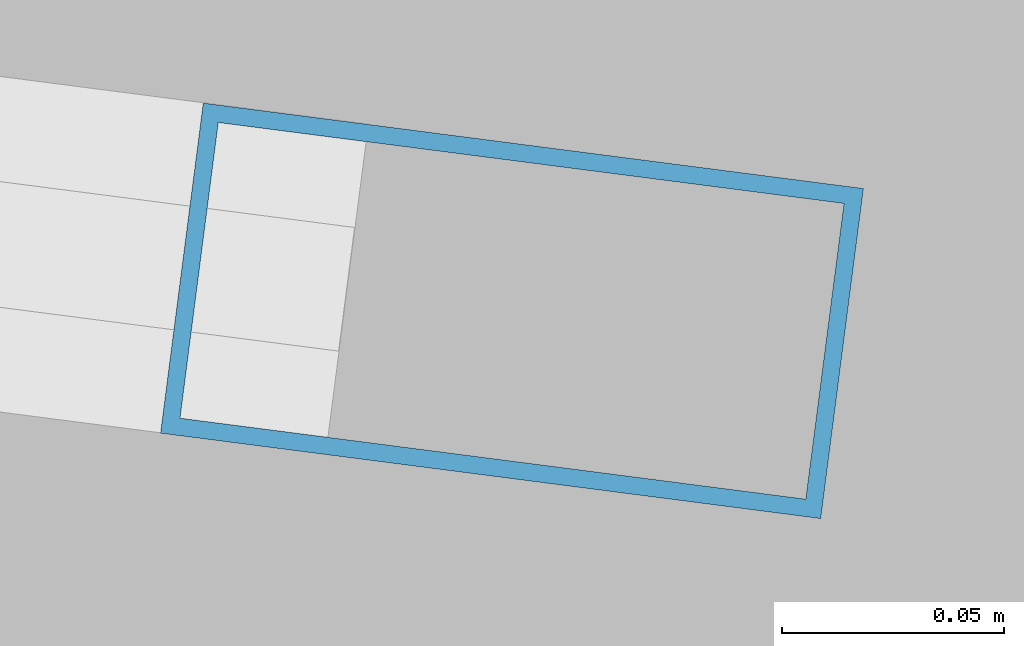
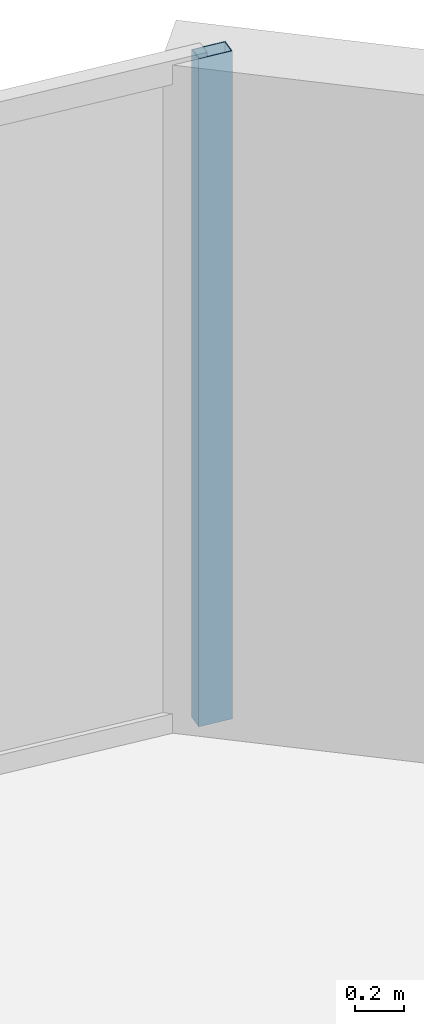
# One storey, part 21 of 33: 1 member, 1 element without a shape of its own.
"""IFC4 building model written with IfcOpenShell, lengths in metres."""

from ifc_helpers import new_model, si_unit, direction, frame, origin, origin_2d, place, context, subcontext, project, spatial, hollow_rectangle, extrude, material, layer, layer_set, material_profile, profile_set, type_object, element, aggregate, save


model = new_model("IFC4")

# Units and contexts
model_context = context("Model", 3, precision=1e-05, world=origin(), true_north=direction((0.0, 1.0)))
body_context = subcontext(model_context, "Body", "Model", "MODEL_VIEW")
ifc_project = project(units=[si_unit("LENGTHUNIT", "METRE"), si_unit("AREAUNIT", "SQUARE_METRE"), si_unit("VOLUMEUNIT", "CUBIC_METRE"), si_unit("PLANEANGLEUNIT", "RADIAN"), si_unit("MASSUNIT", "GRAM", prefix="KILO")], contexts=[model_context])

# Site, building, storey
site_placement = place(None, origin())
site = spatial("IfcSite", under=ifc_project, at=site_placement, CompositionType="ELEMENT")
building_placement = place(site_placement, origin())
building = spatial("IfcBuilding", under=site, at=building_placement, Name="Kazevale Care Tower and Concert Hall", CompositionType="ELEMENT")
storey_placement = place(building_placement, frame((0.0, 0.0, 145.800048828125)))
storey = spatial("IfcBuildingStorey", under=building, at=storey_placement, Name="L38", CompositionType="ELEMENT", Elevation=145.800048828125)

# Curtain wall, member
ifc_material_1 = material(Name="Aluminium 6063-T6 and Low-E Glass", Category="aluminium")
ifc_layer = layer(ifc_material_1, 0.179931640625)
ifc_layer_set = layer_set([ifc_layer], Name="Aluminium 6063-T6 and Low-E Glass")
curtain_wall_type = type_object("IfcCurtainWallType", Name="Convex Recessed Sunroom Curtain Wall CW-3", PredefinedType="NOTDEFINED", material=ifc_layer_set)
curtain_wall_placement = place(storey_placement, origin())
curtain_wall = element("IfcCurtainWall", 1, at=curtain_wall_placement, inside=storey, type_object=curtain_wall_type, Name="cw:L38:f16", PredefinedType="NOTDEFINED")
ifc_material_2 = material(Name="Aluminium 6063-T6", Category="aluminium")
ifc_material_profile = material_profile(ifc_material_2, hollow_rectangle(XDim=0.074951171875, YDim=0.14990234375, WallThickness=0.00390625, at=origin_2d()), Name="ALU75x150x4")
ifc_profile_set = profile_set([ifc_material_profile], Name="Aluminium 6063-T6")
member_type = type_object("IfcMemberType", Name="CW-3 Mullion ALU75x150x4", PredefinedType="MULLION", material=ifc_profile_set)
member_placement = place(storey_placement, frame((64.2587890625, 62.335693359375, 0.0), z_axis=(0.0, 0.0, 1.0), x_axis=(0.128299815569, 0.99173542708, 0.0)))
member = element("IfcMember", 2, at=member_placement, type_object=member_type, Name="CW-3 mullion 2", PredefinedType="MULLION", context=body_context, shape_type="SweptSolid", body=[
    extrude(hollow_rectangle(XDim=0.074951171875, YDim=0.14990234375, WallThickness=0.00390625, at=origin_2d()), origin(), (0.0, 0.0, 1.0), 3.35986328125),
])
aggregate(curtain_wall, [member])

save(model, "model.ifc")
